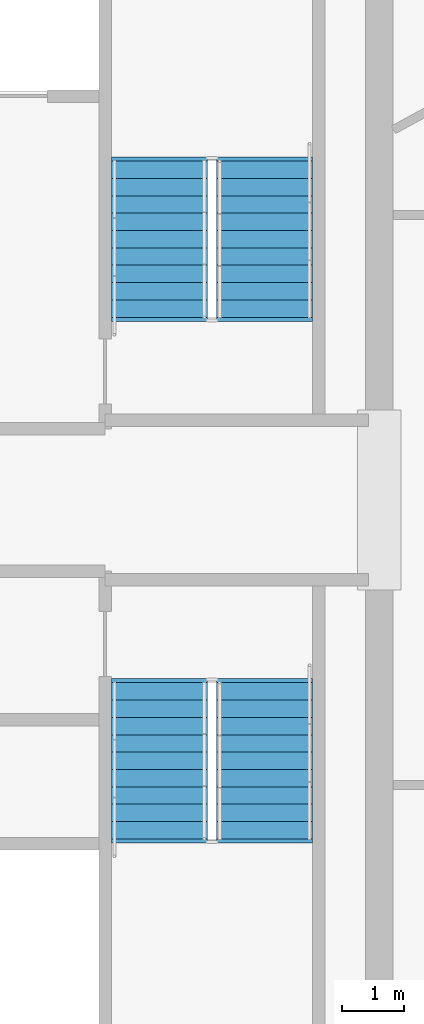
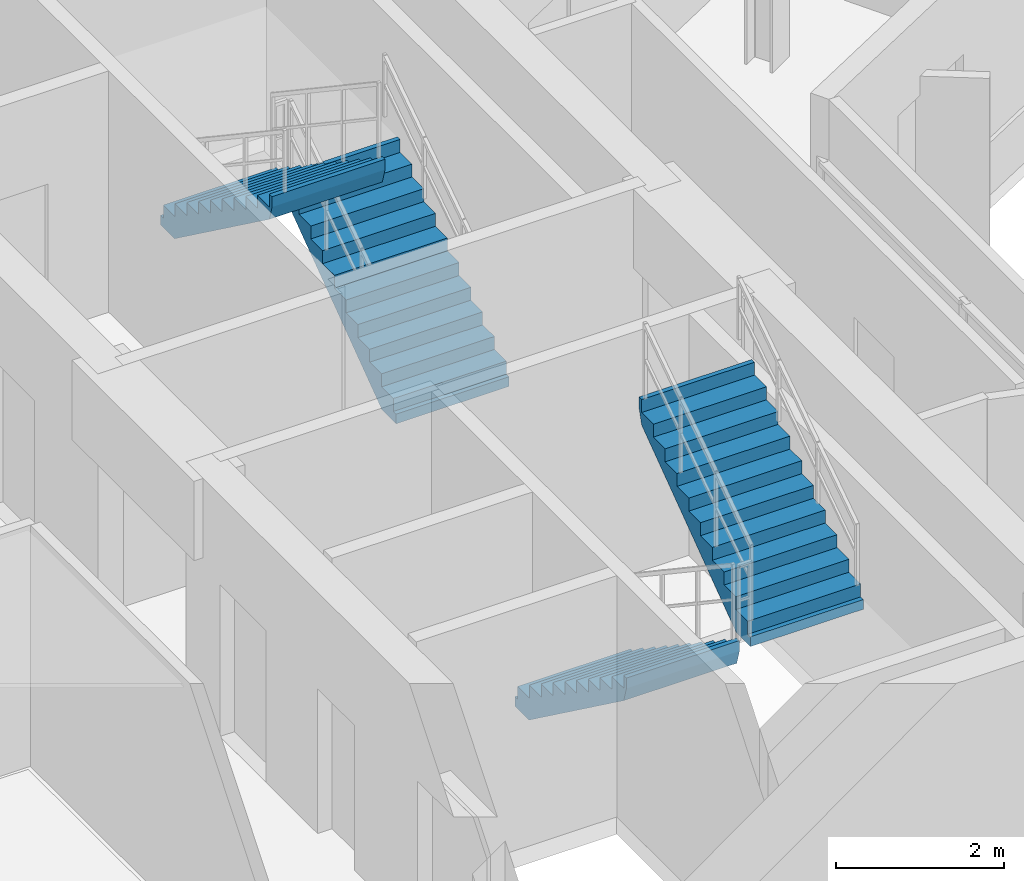
# One storey, part 9 of 13: 4 stair flights, 2 elements without a shape of their own.
"""IFC4 building model written with IfcOpenShell, lengths in metres."""

from ifc_helpers import new_model, si_unit, direction, frame, origin, place, context, subcontext, project, spatial, polyline, outline, extrude, material, type_object, element, aggregate, save


model = new_model("IFC4")

# Units and contexts
model_context = context("Model", 3, precision=1e-05, world=origin(), true_north=direction((0.0, 1.0)))
body_context = subcontext(model_context, "Body", "Model", "MODEL_VIEW")
ifc_project = project(units=[si_unit("LENGTHUNIT", "METRE"), si_unit("AREAUNIT", "SQUARE_METRE"), si_unit("VOLUMEUNIT", "CUBIC_METRE"), si_unit("PLANEANGLEUNIT", "RADIAN"), si_unit("MASSUNIT", "GRAM", prefix="KILO")], contexts=[model_context])

# Site, building, storey
site_placement = place(None, origin())
site = spatial("IfcSite", under=ifc_project, at=site_placement, CompositionType="ELEMENT")
building_placement = place(site_placement, origin())
building = spatial("IfcBuilding", under=site, at=building_placement, Name="Zahravan Cultural Tower", CompositionType="ELEMENT")
storey_placement = place(building_placement, frame((0.0, 0.0, 254.10009765625)))
storey = spatial("IfcBuildingStorey", under=building, at=storey_placement, Name="L60", CompositionType="ELEMENT", Elevation=254.10009765625)

# Stair, stair flights
ifc_material = material(Name="Concrete C45/55", Category="concrete")
stair_type = type_object("IfcStairType", Name="STR-DL-1550-375", PredefinedType="HALF_TURN_STAIR", material=ifc_material)
stair_1_placement = place(storey_placement, origin())
stair_1 = element("IfcStair", 1, at=stair_1_placement, inside=storey, type_object=stair_type, Name="L60 East Core North Exit Stair ST-E1", PredefinedType="HALF_TURN_STAIR")
stair_flight_type = type_object("IfcStairFlightType", Name="FLG-DL-1550-375", PredefinedType="STRAIGHT", material=ifc_material)
stair_flight_1_placement = place(storey_placement, frame((48.675048828125, 29.949951171875, 0.0), z_axis=(0.0, 0.0, 1.0), x_axis=(0.0, 1.0, 0.0)))
stair_flight_1 = element("IfcStairFlight", 2, at=stair_flight_1_placement, type_object=stair_flight_type, Name="ST-E1 flight 1", NumberOfRisers=10, NumberOfTreads=9, PredefinedType="STRAIGHT", RiserHeight=0.1875, TreadLength=0.28, context=body_context, shape_type="SweptSolid", body=[
    extrude(outline(polyline([(-0.06494140625, -0.139892578125), (-0.06494140625, 0.0), (0.0, 0.0), (0.0, 0.1875), (0.280029296875, 0.1875), (0.280029296875, 0.375), (0.56005859375, 0.375), (0.56005859375, 0.5625), (0.840087890625, 0.5625), (0.840087890625, 0.75), (1.1201171875, 0.75), (1.1201171875, 0.9375), (1.39990234375, 0.9375), (1.39990234375, 1.125), (1.679931640625, 1.125), (1.679931640625, 1.3125), (1.9599609375, 1.3125), (1.9599609375, 1.5), (2.239990234375, 1.5), (2.239990234375, 1.6875), (2.52001953125, 1.6875), (2.52001953125, 1.875), (2.5849609375, 1.875), (2.5849609375, 1.72509765625), (2.52001953125, 1.507080078125), (0.26953125, -0.139892578125), (-0.06494140625, -0.139892578125)])), frame((0.0, 0.77490234375, 0.0), z_axis=(0.0, -1.0, 0.0), x_axis=(1.0, 0.0, 0.0)), (0.0, 0.0, 1.0), 1.550048828125),
])
stair_flight_2_placement = place(storey_placement, frame((46.97509765625, 32.469970703125, 1.875), z_axis=(0.0, 0.0, 1.0), x_axis=(0.0, -1.0, 0.0)))
stair_flight_2 = element("IfcStairFlight", 3, at=stair_flight_2_placement, type_object=stair_flight_type, Name="ST-E1 flight 2", NumberOfRisers=10, NumberOfTreads=9, PredefinedType="STRAIGHT", RiserHeight=0.1875, TreadLength=0.28, context=body_context, shape_type="SweptSolid", body=[
    extrude(outline(polyline([(-0.06494140625, -0.139892578125), (-0.06494140625, 0.0), (0.0, 0.0), (0.0, 0.1875), (0.280029296875, 0.1875), (0.280029296875, 0.375), (0.56005859375, 0.375), (0.56005859375, 0.5625), (0.840087890625, 0.5625), (0.840087890625, 0.75), (1.1201171875, 0.75), (1.1201171875, 0.9375), (1.39990234375, 0.9375), (1.39990234375, 1.125), (1.679931640625, 1.125), (1.679931640625, 1.3125), (1.9599609375, 1.3125), (1.9599609375, 1.5), (2.239990234375, 1.5), (2.239990234375, 1.6875), (2.52001953125, 1.6875), (2.52001953125, 1.875), (2.5849609375, 1.875), (2.5849609375, 1.72509765625), (2.52001953125, 1.507080078125), (0.26953125, -0.139892578125), (-0.06494140625, -0.139892578125)])), frame((0.0, 0.77490234375, 0.0), z_axis=(0.0, -1.0, 0.0), x_axis=(1.0, 0.0, 0.0)), (0.0, 0.0, 1.0), 1.550048828125),
])
aggregate(stair_1, [stair_flight_1, stair_flight_2])

stair_2_placement = place(storey_placement, origin())
stair_2 = element("IfcStair", 4, at=stair_2_placement, inside=storey, type_object=stair_type, Name="L60 East Core South Exit Stair ST-E2", PredefinedType="HALF_TURN_STAIR")
stair_flight_3_placement = place(storey_placement, frame((46.97509765625, 24.050048828125, 0.0), z_axis=(0.0, 0.0, 1.0), x_axis=(0.0, -1.0, 0.0)))
stair_flight_3 = element("IfcStairFlight", 5, at=stair_flight_3_placement, type_object=stair_flight_type, Name="ST-E2 flight 1", NumberOfRisers=10, NumberOfTreads=9, PredefinedType="STRAIGHT", RiserHeight=0.1875, TreadLength=0.28, context=body_context, shape_type="SweptSolid", body=[
    extrude(outline(polyline([(-0.06494140625, -0.139892578125), (-0.06494140625, 0.0), (0.0, 0.0), (0.0, 0.1875), (0.280029296875, 0.1875), (0.280029296875, 0.375), (0.56005859375, 0.375), (0.56005859375, 0.5625), (0.840087890625, 0.5625), (0.840087890625, 0.75), (1.1201171875, 0.75), (1.1201171875, 0.9375), (1.39990234375, 0.9375), (1.39990234375, 1.125), (1.679931640625, 1.125), (1.679931640625, 1.3125), (1.9599609375, 1.3125), (1.9599609375, 1.5), (2.239990234375, 1.5), (2.239990234375, 1.6875), (2.52001953125, 1.6875), (2.52001953125, 1.875), (2.5849609375, 1.875), (2.5849609375, 1.72509765625), (2.52001953125, 1.507080078125), (0.26953125, -0.139892578125), (-0.06494140625, -0.139892578125)])), frame((0.0, 0.77490234375, 0.0), z_axis=(0.0, -1.0, 0.0), x_axis=(1.0, 0.0, 0.0)), (0.0, 0.0, 1.0), 1.550048828125),
])
stair_flight_4_placement = place(storey_placement, frame((48.675048828125, 21.530029296875, 1.875), z_axis=(0.0, 0.0, 1.0), x_axis=(0.0, 1.0, 0.0)))
stair_flight_4 = element("IfcStairFlight", 6, at=stair_flight_4_placement, type_object=stair_flight_type, Name="ST-E2 flight 2", NumberOfRisers=10, NumberOfTreads=9, PredefinedType="STRAIGHT", RiserHeight=0.1875, TreadLength=0.28, context=body_context, shape_type="SweptSolid", body=[
    extrude(outline(polyline([(-0.06494140625, -0.139892578125), (-0.06494140625, 0.0), (0.0, 0.0), (0.0, 0.1875), (0.280029296875, 0.1875), (0.280029296875, 0.375), (0.56005859375, 0.375), (0.56005859375, 0.5625), (0.840087890625, 0.5625), (0.840087890625, 0.75), (1.1201171875, 0.75), (1.1201171875, 0.9375), (1.39990234375, 0.9375), (1.39990234375, 1.125), (1.679931640625, 1.125), (1.679931640625, 1.3125), (1.9599609375, 1.3125), (1.9599609375, 1.5), (2.239990234375, 1.5), (2.239990234375, 1.6875), (2.52001953125, 1.6875), (2.52001953125, 1.875), (2.5849609375, 1.875), (2.5849609375, 1.72509765625), (2.52001953125, 1.507080078125), (0.26953125, -0.139892578125), (-0.06494140625, -0.139892578125)])), frame((0.0, 0.77490234375, 0.0), z_axis=(0.0, -1.0, 0.0), x_axis=(1.0, 0.0, 0.0)), (0.0, 0.0, 1.0), 1.550048828125),
])
aggregate(stair_2, [stair_flight_3, stair_flight_4])

save(model, "model.ifc")
